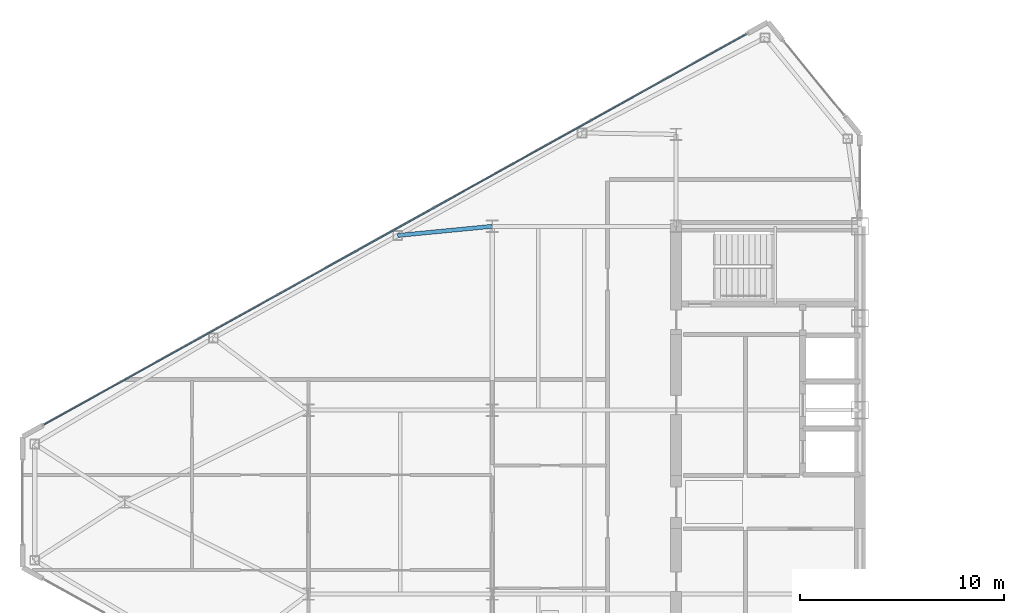
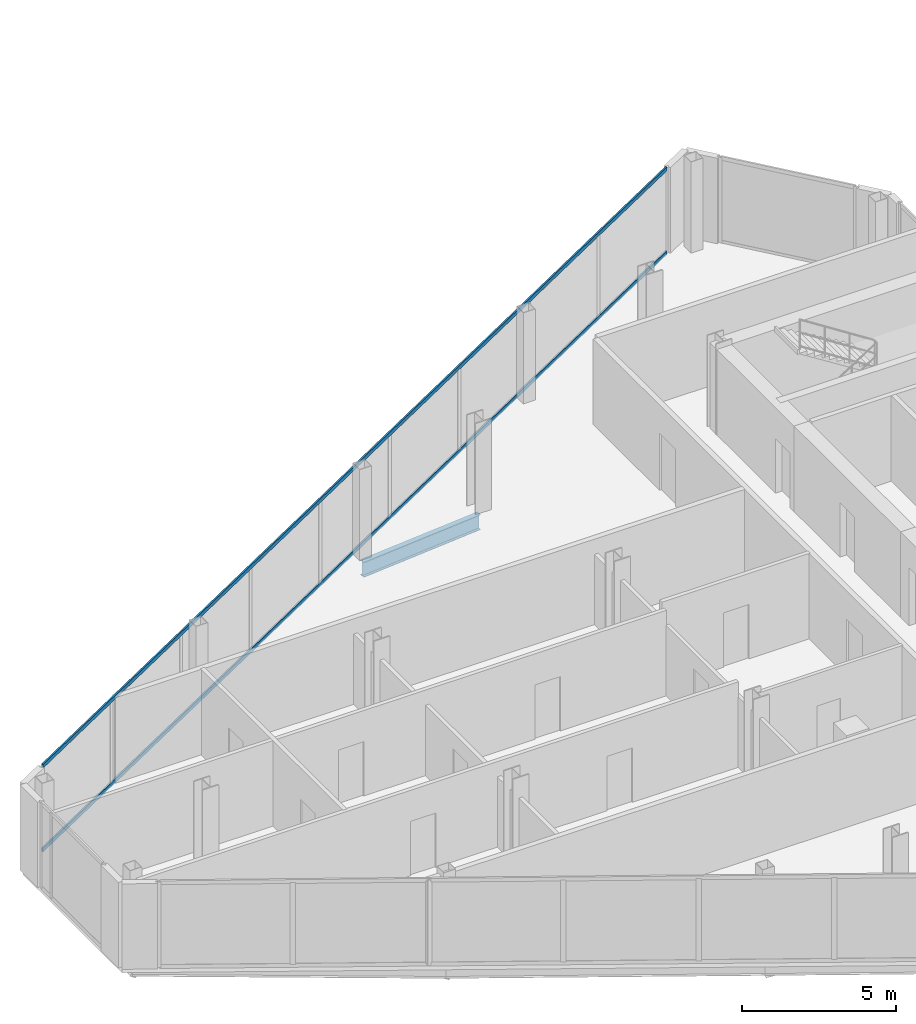
# One storey, part 9 of 26: 2 members, 1 beam, 1 element without a shape of its own.
"""IFC4 building model written with IfcOpenShell, lengths in metres."""

from ifc_helpers import new_model, si_unit, direction, frame, origin, origin_2d, place, context, subcontext, project, spatial, rectangle, i_section, extrude, source, transform, mapped, material, layer, layer_set, material_profile, profile_set, type_object, type_shapes, element, aggregate, save


model = new_model("IFC4")

# Units and contexts
model_context = context("Model", 3, precision=1e-05, world=origin(), true_north=direction((0.0, 1.0)))
body_context = subcontext(model_context, "Body", "Model", "MODEL_VIEW")
ifc_project = project(units=[si_unit("LENGTHUNIT", "METRE"), si_unit("AREAUNIT", "SQUARE_METRE"), si_unit("VOLUMEUNIT", "CUBIC_METRE"), si_unit("PLANEANGLEUNIT", "RADIAN"), si_unit("MASSUNIT", "GRAM", prefix="KILO")], contexts=[model_context])

# Site, building, storey
site_placement = place(None, origin())
site = spatial("IfcSite", under=ifc_project, at=site_placement, CompositionType="ELEMENT")
building_placement = place(site_placement, origin())
building = spatial("IfcBuilding", under=site, at=building_placement, Name="Seokmaru Belvedere", CompositionType="ELEMENT")
storey_placement = place(building_placement, frame((0.0, 0.0, 170.699951171875)))
storey = spatial("IfcBuildingStorey", under=building, at=storey_placement, Name="L45", CompositionType="ELEMENT", Elevation=170.699951171875)

# Beam
ifc_material_1 = material(Name="Steel SM355 (355 MPa)", Category="steel")
ifc_material_profile_1 = material_profile(ifc_material_1, i_section(OverallWidth=0.199951171875, OverallDepth=0.60009765625, WebThickness=0.010986328125, FlangeThickness=0.01708984375, at=origin_2d()), Name="H-600x200x11x17")
ifc_profile_set_1 = profile_set([ifc_material_profile_1], Name="Steel SM355 (355 MPa)")
beam_type = type_object("IfcBeamType", Name="Primary Floor Girder H-600", PredefinedType="BEAM", material=ifc_profile_set_1)
shared_shape_1 = source(origin(), body_context, "Body", "SweptSolid", [
    extrude(i_section(OverallWidth=0.199951171875, OverallDepth=0.60009765625, WebThickness=0.010986328125, FlangeThickness=0.01708984375, at=origin_2d()), origin(), (0.0, 0.0, 1.0), 4.65087890625),
])
type_shapes(beam_type, [shared_shape_1])
beam_placement = place(storey_placement, frame((-50.129150390625, 13.051025390625, -0.52001953125), z_axis=(0.995329534874, 0.09653557379, 0.0), x_axis=(-0.09653557379, 0.995329534874, 0.0)))
element("IfcBeam", 1, at=beam_placement, inside=storey, type_object=beam_type, Name="L45 W Flank Radial Floor Girder N-2", PredefinedType="BEAM", context=body_context, shape_type="MappedRepresentation", body=[
    mapped(shared_shape_1, transform((0.0, 0.0, 0.0), scale=1.0)),
])

# Curtain wall, members
ifc_material_2 = material(Name="Bronze Triple Insulating Glass", Category="glass")
ifc_layer = layer(ifc_material_2, 0.179931640625)
ifc_layer_set = layer_set([ifc_layer], Name="Bronze Triple Insulating Glass")
curtain_wall_type = type_object("IfcCurtainWallType", Name="High-Rise Wind-Corner Curtain Wall System CW-5", PredefinedType="NOTDEFINED", material=ifc_layer_set)
curtain_wall_placement = place(storey_placement, origin())
curtain_wall = element("IfcCurtainWall", 2, at=curtain_wall_placement, inside=storey, type_object=curtain_wall_type, Name="L45 Curtain Wall WF3", PredefinedType="NOTDEFINED")
ifc_material_3 = material(Name="Anodised Bronze Aluminium", Category="aluminium")
ifc_material_profile_2 = material_profile(ifc_material_3, rectangle(XDim=0.06494140625, YDim=0.14990234375, at=origin_2d()), Name="CW-T-65x150")
ifc_profile_set_2 = profile_set([ifc_material_profile_2], Name="Anodised Bronze Aluminium")
member_type = type_object("IfcMemberType", Name="Bronze Unitised Transom 65x150", PredefinedType="USERDEFINED", material=ifc_profile_set_2)
shared_shape_2 = source(origin(), body_context, "Body", "SweptSolid", [
    extrude(rectangle(XDim=0.06494140625, YDim=0.14990234375, at=origin_2d()), origin(), (0.0, 0.0, 1.0), 39.33544921875),
])
type_shapes(member_type, [shared_shape_2])
member_1_placement = place(storey_placement, frame((-33.061767578125, 22.909423828125, 0.032470703125), z_axis=(-0.873932045133, -0.486048125693, 0.0), x_axis=(0.486048125693, -0.873932045133, 0.0)))
member_1 = element("IfcMember", 3, at=member_1_placement, type_object=member_type, Name="CW:L45:WF3 Continuous Transom 1", ObjectType="TRANSOM", PredefinedType="USERDEFINED", context=body_context, shape_type="MappedRepresentation", body=[
    mapped(shared_shape_2, transform((0.0, 0.0, 0.0), scale=1.0)),
])
member_2_placement = place(storey_placement, frame((-33.061767578125, 22.909423828125, 3.34765625), z_axis=(-0.873932045133, -0.486048125693, 0.0), x_axis=(0.486048125693, -0.873932045133, 0.0)))
member_2 = element("IfcMember", 4, at=member_2_placement, type_object=member_type, Name="CW:L45:WF3 Continuous Transom 2", ObjectType="TRANSOM", PredefinedType="USERDEFINED", context=body_context, shape_type="MappedRepresentation", body=[
    mapped(shared_shape_2, transform((0.0, 0.0, 0.0), scale=1.0)),
])
aggregate(curtain_wall, [member_1, member_2])

save(model, "model.ifc")
